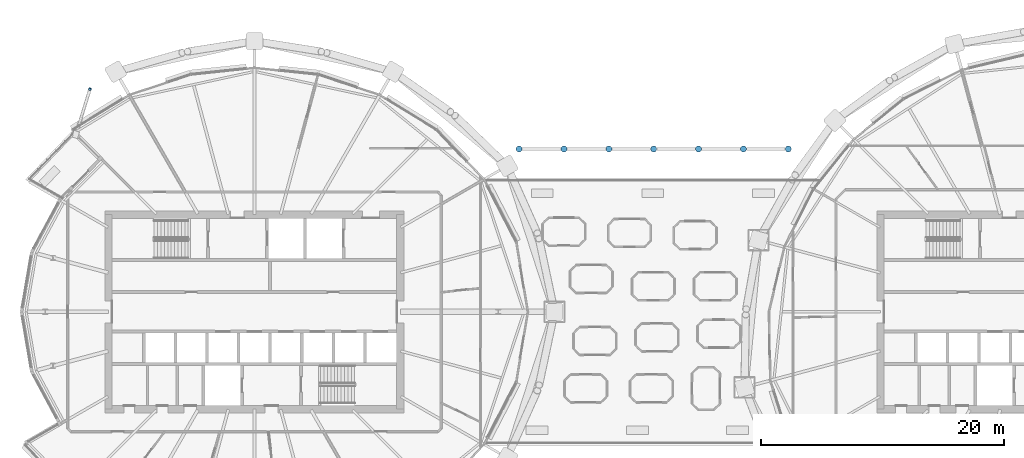
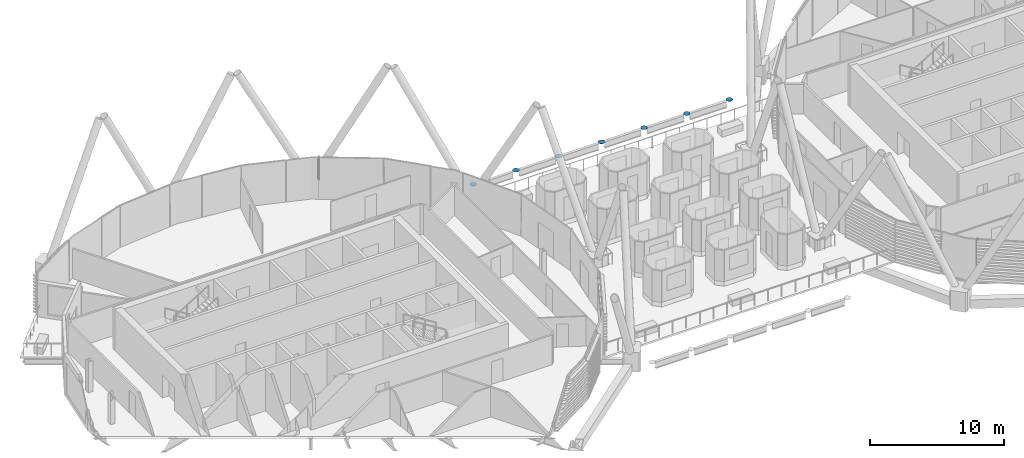
# One storey, part 31 of 38: 8 discrete accessories.
"""IFC4 building model written with IfcOpenShell, lengths in metres."""

from ifc_helpers import new_model, si_unit, direction, frame, origin, origin_2d, place, context, subcontext, project, spatial, polyline, circle, outline, extrude, material, material_profile, profile_set, type_object, element, save


model = new_model("IFC4")

# Units and contexts
model_context = context("Model", 3, precision=1e-05, world=origin(), true_north=direction((0.0, 1.0)))
body_context = subcontext(model_context, "Body", "Model", "MODEL_VIEW")
ifc_project = project(units=[si_unit("LENGTHUNIT", "METRE"), si_unit("AREAUNIT", "SQUARE_METRE"), si_unit("VOLUMEUNIT", "CUBIC_METRE"), si_unit("PLANEANGLEUNIT", "RADIAN"), si_unit("MASSUNIT", "GRAM", prefix="KILO")], contexts=[model_context])

# Site, building, storey
site_placement = place(None, origin())
site = spatial("IfcSite", under=ifc_project, at=site_placement, CompositionType="ELEMENT")
building_placement = place(site_placement, origin())
building = spatial("IfcBuilding", under=site, at=building_placement, Name="Rimbun Link Towers", CompositionType="ELEMENT")
storey_placement = place(building_placement, frame((0.0, 0.0, 158.89990234375)))
storey = spatial("IfcBuildingStorey", under=building, at=storey_placement, Name="L38", CompositionType="ELEMENT", Elevation=158.89990234375)

# Discrete accessories
ifc_material = material(Name="Steel S355J2H", Category="steel")
ifc_material_profile = material_profile(ifc_material, circle(Radius=0.1240234375, at=origin_2d()), Name="PL D248")
ifc_profile_set = profile_set([ifc_material_profile], Name="Steel S355J2H")
discrete_accessory_type = type_object("IfcDiscreteAccessoryType", Name="Link foot sealing plate D248X20", PredefinedType="BRACKET", material=ifc_profile_set)
discrete_accessory_1_placement = place(storey_placement, frame((-45.2802734375, 18.322509765625, -4.3408203125), z_axis=(0.219757451087, 0.695898595108, -0.683689847825), x_axis=(-0.953582665134, 0.301131367937, 0.0)))
element("IfcDiscreteAccessory", 1, at=discrete_accessory_1_placement, inside=storey, type_object=discrete_accessory_type, Name="Link foot sealing plate T1 L38 09", PredefinedType="BRACKET", context=body_context, shape_type="SweptSolid", body=[
    extrude(circle(Radius=0.1240234375, at=origin_2d()), origin(), (0.0, 0.0, 1.0), 0.02001953125),
])
discrete_accessory_2_placement = place(storey_placement, origin())
element("IfcDiscreteAccessory", 2, at=discrete_accessory_2_placement, inside=storey, Name="Link megaframe post cap", PredefinedType="BRACKET", context=body_context, shape_type="SweptSolid", body=[
    extrude(outline(polyline([(-9.72412109375, 13.39990234375), (-9.743408203125, 13.497314453125), (-9.79833984375, 13.57958984375), (-9.880859375, 13.634765625), (-9.97802734375, 13.654052734375), (-10.0751953125, 13.634765625), (-10.15771484375, 13.57958984375), (-10.212646484375, 13.497314453125), (-10.23193359375, 13.39990234375), (-10.212646484375, 13.302734375), (-10.15771484375, 13.220458984375), (-10.0751953125, 13.165283203125), (-9.97802734375, 13.14599609375), (-9.880859375, 13.165283203125), (-9.79833984375, 13.220458984375), (-9.743408203125, 13.302734375), (-9.72412109375, 13.39990234375)])), origin(), (0.0, 0.0, 1.0), 0.02001953125),
])
discrete_accessory_3_placement = place(storey_placement, origin())
element("IfcDiscreteAccessory", 3, at=discrete_accessory_3_placement, inside=storey, Name="Link megaframe post cap", PredefinedType="BRACKET", context=body_context, shape_type="SweptSolid", body=[
    extrude(outline(polyline([(-6.0341796875, 13.39990234375), (-6.053466796875, 13.497314453125), (-6.1083984375, 13.57958984375), (-6.19091796875, 13.634765625), (-6.2880859375, 13.654052734375), (-6.38525390625, 13.634765625), (-6.4677734375, 13.57958984375), (-6.522705078125, 13.497314453125), (-6.5419921875, 13.39990234375), (-6.522705078125, 13.302734375), (-6.4677734375, 13.220458984375), (-6.38525390625, 13.165283203125), (-6.2880859375, 13.14599609375), (-6.19091796875, 13.165283203125), (-6.1083984375, 13.220458984375), (-6.053466796875, 13.302734375), (-6.0341796875, 13.39990234375)])), origin(), (0.0, 0.0, 1.0), 0.02001953125),
])
discrete_accessory_4_placement = place(storey_placement, origin())
element("IfcDiscreteAccessory", 4, at=discrete_accessory_4_placement, inside=storey, Name="Link megaframe post cap", PredefinedType="BRACKET", context=body_context, shape_type="SweptSolid", body=[
    extrude(outline(polyline([(-2.34423828125, 13.39990234375), (-2.363525390625, 13.497314453125), (-2.418701171875, 13.57958984375), (-2.5009765625, 13.634765625), (-2.59814453125, 13.654052734375), (-2.6953125, 13.634765625), (-2.77783203125, 13.57958984375), (-2.832763671875, 13.497314453125), (-2.852294921875, 13.39990234375), (-2.832763671875, 13.302734375), (-2.77783203125, 13.220458984375), (-2.6953125, 13.165283203125), (-2.59814453125, 13.14599609375), (-2.5009765625, 13.165283203125), (-2.418701171875, 13.220458984375), (-2.363525390625, 13.302734375), (-2.34423828125, 13.39990234375)])), origin(), (0.0, 0.0, 1.0), 0.02001953125),
])
discrete_accessory_5_placement = place(storey_placement, origin())
element("IfcDiscreteAccessory", 5, at=discrete_accessory_5_placement, inside=storey, Name="Link megaframe post cap", PredefinedType="BRACKET", context=body_context, shape_type="SweptSolid", body=[
    extrude(outline(polyline([(1.345703125, 13.39990234375), (1.326416015625, 13.497314453125), (1.271484375, 13.57958984375), (1.18896484375, 13.634765625), (1.091796875, 13.654052734375), (0.99462890625, 13.634765625), (0.912109375, 13.57958984375), (0.857177734375, 13.497314453125), (0.837890625, 13.39990234375), (0.857177734375, 13.302734375), (0.912109375, 13.220458984375), (0.99462890625, 13.165283203125), (1.091796875, 13.14599609375), (1.18896484375, 13.165283203125), (1.271484375, 13.220458984375), (1.326416015625, 13.302734375), (1.345703125, 13.39990234375)])), origin(), (0.0, 0.0, 1.0), 0.02001953125),
])
discrete_accessory_6_placement = place(storey_placement, origin())
element("IfcDiscreteAccessory", 6, at=discrete_accessory_6_placement, inside=storey, Name="Link megaframe post cap", PredefinedType="BRACKET", context=body_context, shape_type="SweptSolid", body=[
    extrude(outline(polyline([(5.03564453125, 13.39990234375), (5.016357421875, 13.497314453125), (4.96142578125, 13.57958984375), (4.87890625, 13.634765625), (4.78173828125, 13.654052734375), (4.6845703125, 13.634765625), (4.60205078125, 13.57958984375), (4.547119140625, 13.497314453125), (4.527587890625, 13.39990234375), (4.547119140625, 13.302734375), (4.60205078125, 13.220458984375), (4.6845703125, 13.165283203125), (4.78173828125, 13.14599609375), (4.87890625, 13.165283203125), (4.96142578125, 13.220458984375), (5.016357421875, 13.302734375), (5.03564453125, 13.39990234375)])), origin(), (0.0, 0.0, 1.0), 0.02001953125),
])
discrete_accessory_7_placement = place(storey_placement, origin())
element("IfcDiscreteAccessory", 7, at=discrete_accessory_7_placement, inside=storey, Name="Link megaframe post cap", PredefinedType="BRACKET", context=body_context, shape_type="SweptSolid", body=[
    extrude(outline(polyline([(8.7255859375, 13.39990234375), (8.706298828125, 13.497314453125), (8.651123046875, 13.57958984375), (8.56884765625, 13.634765625), (8.4716796875, 13.654052734375), (8.37451171875, 13.634765625), (8.2919921875, 13.57958984375), (8.23681640625, 13.497314453125), (8.217529296875, 13.39990234375), (8.23681640625, 13.302734375), (8.2919921875, 13.220458984375), (8.37451171875, 13.165283203125), (8.4716796875, 13.14599609375), (8.56884765625, 13.165283203125), (8.651123046875, 13.220458984375), (8.706298828125, 13.302734375), (8.7255859375, 13.39990234375)])), origin(), (0.0, 0.0, 1.0), 0.02001953125),
])
discrete_accessory_8_placement = place(storey_placement, origin())
element("IfcDiscreteAccessory", 8, at=discrete_accessory_8_placement, inside=storey, Name="Link megaframe post cap", PredefinedType="BRACKET", context=body_context, shape_type="SweptSolid", body=[
    extrude(outline(polyline([(12.41552734375, 13.39990234375), (12.396240234375, 13.497314453125), (12.341064453125, 13.57958984375), (12.2587890625, 13.634765625), (12.16162109375, 13.654052734375), (12.064208984375, 13.634765625), (11.98193359375, 13.57958984375), (11.9267578125, 13.497314453125), (11.907470703125, 13.39990234375), (11.9267578125, 13.302734375), (11.98193359375, 13.220458984375), (12.064208984375, 13.165283203125), (12.16162109375, 13.14599609375), (12.2587890625, 13.165283203125), (12.341064453125, 13.220458984375), (12.396240234375, 13.302734375), (12.41552734375, 13.39990234375)])), origin(), (0.0, 0.0, 1.0), 0.02001953125),
])

save(model, "model.ifc")
